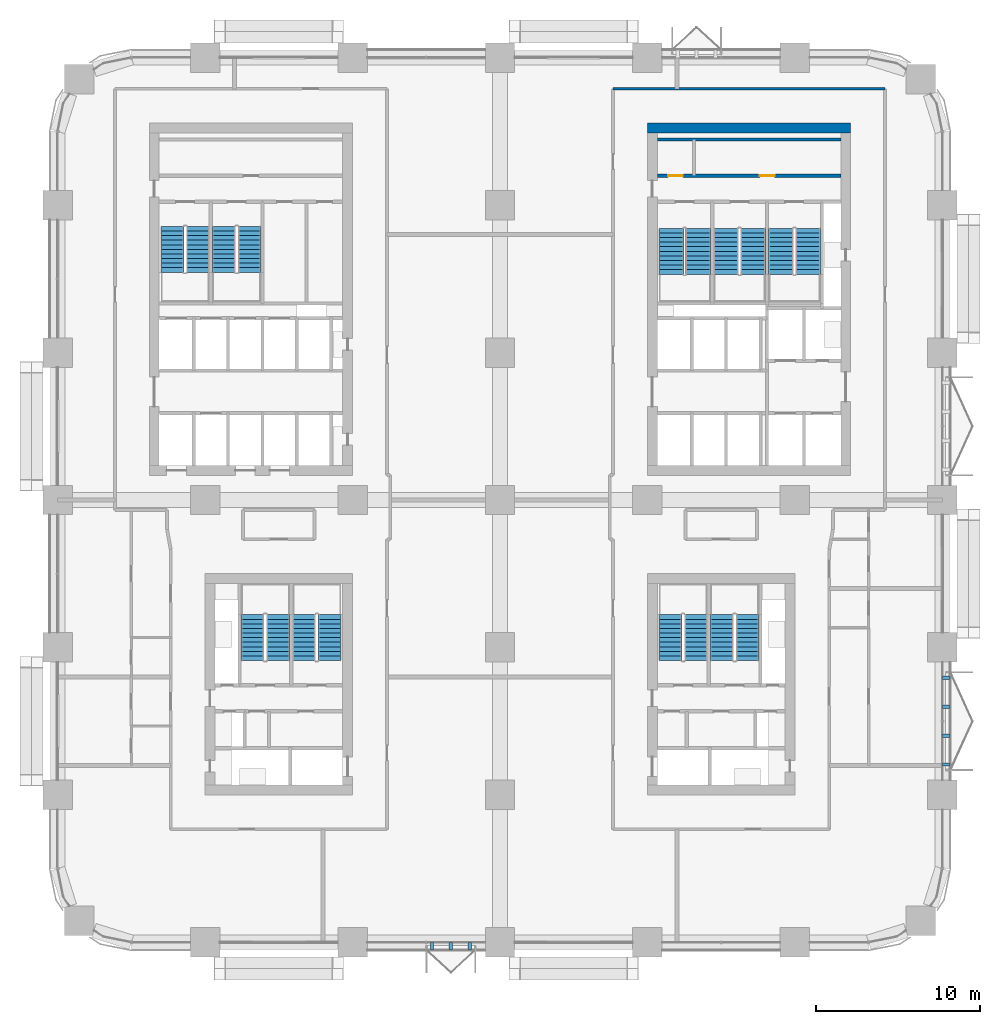
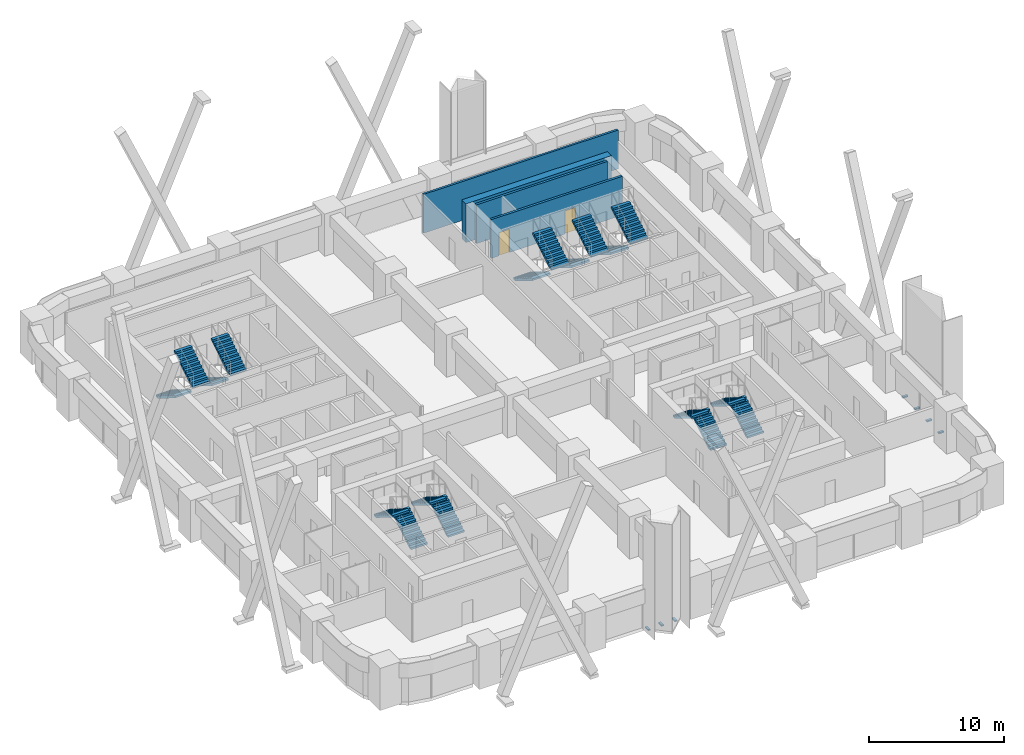
# One storey, part 20 of 24: 18 stair flights, 7 discrete accessories, 4 walls, 2 doors, 2 openings, 9 elements without a shape of their own.
"""IFC4 building model written with IfcOpenShell, lengths in metres."""

from ifc_helpers import new_model, si_unit, direction, frame, frame_2d, origin, origin_2d, place, context, subcontext, project, spatial, polyline, rectangle, outline, extrude, material, layer, layer_set, type_object, element, fill, aggregate, save


model = new_model("IFC4")

# Units and contexts
model_context = context("Model", 3, precision=1e-05, world=origin(), true_north=direction((0.0, 1.0)))
body_context = subcontext(model_context, "Body", "Model", "MODEL_VIEW")
ifc_project = project(units=[si_unit("LENGTHUNIT", "METRE"), si_unit("AREAUNIT", "SQUARE_METRE"), si_unit("VOLUMEUNIT", "CUBIC_METRE"), si_unit("PLANEANGLEUNIT", "RADIAN"), si_unit("MASSUNIT", "GRAM", prefix="KILO")], contexts=[model_context])

# Site, building, storey
site_placement = place(None, origin())
site = spatial("IfcSite", under=ifc_project, at=site_placement, CompositionType="ELEMENT")
building_placement = place(site_placement, origin())
building = spatial("IfcBuilding", under=site, at=building_placement, Name="Tessera Arch", CompositionType="ELEMENT")
storey_placement = place(building_placement, frame((0.0, 0.0, 61.39990234375)))
storey = spatial("IfcBuildingStorey", under=building, at=storey_placement, Name="L13", CompositionType="ELEMENT", Elevation=61.39990234375)

# Wall, openings, doors
ifc_material_1 = material(Name="Gypsum board on steel stud", Category="steel")
ifc_layer_1 = layer(ifc_material_1, 0.125)
ifc_layer_set_1 = layer_set([ifc_layer_1], Name="Core partition 125 EI 60")
wall_type_1 = type_object("IfcWallType", Name="Core partition 125 EI 60", PredefinedType="PARTITIONING", material=ifc_layer_set_1)
wall_1_placement = place(storey_placement, frame((36.60009765625, 46.800048828125, 0.0), z_axis=(0.0, 0.0, 1.0), x_axis=(1.0, 0.0, 0.0)))
wall_1 = element("IfcWall", 1, at=wall_1_placement, inside=storey, type_object=wall_type_1, Name="L13 C1 partition wall 31", PredefinedType="PARTITIONING", context=body_context, shape_type="SweptSolid", body=[
    extrude(rectangle(XDim=11.199951171875, YDim=0.199951171875, at=frame_2d((5.60009765625, 0.0))), origin(), (0.0, 0.0, 1.0), 3.5),
])
opening_1_placement = place(wall_1_placement, frame((0.669921875, 0.0, 0.0)))
opening_1 = element("IfcOpeningElement", 2, at=opening_1_placement, cuts=wall_1, Name="Opening L13-C12", PredefinedType="OPENING", context=body_context, shape_type="SweptSolid", body=[
    extrude(rectangle(XDim=0.89990234375, YDim=2.10009765625, at=frame_2d((0.449951171875, 1.050048828125))), frame((0.0, 0.10986328125, 0.0), z_axis=(0.0, -1.0, 0.0), x_axis=(1.0, 0.0, 0.0)), (0.0, 0.0, 1.0), 0.219970703125),
])
opening_2_placement = place(wall_1_placement, frame((6.27001953125, 0.0, 0.0)))
opening_2 = element("IfcOpeningElement", 3, at=opening_2_placement, cuts=wall_1, Name="Opening L13-C13", PredefinedType="OPENING", context=body_context, shape_type="SweptSolid", body=[
    extrude(rectangle(XDim=0.89990234375, YDim=2.10009765625, at=frame_2d((0.449951171875, 1.050048828125))), frame((0.0, 0.10986328125, 0.0), z_axis=(0.0, -1.0, 0.0), x_axis=(1.0, 0.0, 0.0)), (0.0, 0.0, 1.0), 0.219970703125),
])
ifc_material_2 = material(Name="Steel door leaf", Category="steel")
door_type = type_object("IfcDoorType", Name="Store door FD30S 900 x 2100", OperationType="SINGLE_SWING_LEFT", PredefinedType="DOOR", material=ifc_material_2)
door_1_placement = place(opening_1_placement, origin())
door_1 = element("IfcDoor", 4, at=door_1_placement, inside=storey, type_object=door_type, Name="L13 C1 door 12 C12 type D09", OperationType="SINGLE_SWING_LEFT", OverallHeight=2.10009765625, OverallWidth=0.89990234375, PredefinedType="DOOR", context=body_context, shape_type="SweptSolid", body=[
    extrude(rectangle(XDim=0.89990234375, YDim=2.10009765625, at=frame_2d((0.449951171875, 1.050048828125))), frame((0.0, 0.02490234375, 0.0), z_axis=(0.0, -1.0, 0.0), x_axis=(1.0, 0.0, 0.0)), (0.0, 0.0, 1.0), 0.050048828125),
])
fill(opening_1, door_1)
door_2_placement = place(opening_2_placement, origin())
door_2 = element("IfcDoor", 5, at=door_2_placement, inside=storey, type_object=door_type, Name="L13 C1 door 13 C13 type D09", OperationType="SINGLE_SWING_RIGHT", OverallHeight=2.10009765625, OverallWidth=0.89990234375, PredefinedType="DOOR", context=body_context, shape_type="SweptSolid", body=[
    extrude(rectangle(XDim=0.89990234375, YDim=2.10009765625, at=frame_2d((0.449951171875, 1.050048828125))), frame((0.0, 0.02490234375, 0.0), z_axis=(0.0, -1.0, 0.0), x_axis=(1.0, 0.0, 0.0)), (0.0, 0.0, 1.0), 0.050048828125),
])
fill(opening_2, door_2)

# Walls
wall_2_placement = place(storey_placement, frame((36.60009765625, 49.0, 0.0), z_axis=(0.0, 0.0, 1.0), x_axis=(1.0, 0.0, 0.0)))
element("IfcWall", 6, at=wall_2_placement, inside=storey, type_object=wall_type_1, Name="L13 C1 partition wall 32", PredefinedType="PARTITIONING", context=body_context, shape_type="SweptSolid", body=[
    extrude(rectangle(XDim=11.199951171875, YDim=0.199951171875, at=frame_2d((5.60009765625, 0.0))), origin(), (0.0, 0.0, 1.0), 3.5),
])
ifc_material_3 = material(Name="Concrete C70/85", Category="concrete")
ifc_layer_2 = layer(ifc_material_3, 0.60009765625)
ifc_layer_set_2 = layer_set([ifc_layer_2], Name="Core shell wall 600 C70-85")
wall_type_2 = type_object("IfcWallType", Name="Core shell wall 600 C70-85", PredefinedType="SHEAR", material=ifc_layer_set_2)
wall_3_placement = place(storey_placement, frame((36.0, 49.699951171875, 0.0), z_axis=(0.0, 0.0, 1.0), x_axis=(1.0, 0.0, 0.0)))
element("IfcWall", 7, at=wall_3_placement, inside=storey, type_object=wall_type_2, Name="L13 C1 core wall N", PredefinedType="SHEAR", context=body_context, shape_type="SweptSolid", body=[
    extrude(rectangle(XDim=12.39990234375, YDim=0.60009765625, at=frame_2d((6.199951171875, 0.0))), origin(), (0.0, 0.0, 1.0), 3.5),
])
ifc_material_4 = material(Name="Gypsum board on deep steel stud with mineral wool", Category="steel")
ifc_layer_3 = layer(ifc_material_4, 0.175048828125)
ifc_layer_set_3 = layer_set([ifc_layer_3], Name="Corridor wall 175 EI 60")
wall_type_3 = type_object("IfcWallType", Name="Corridor wall 175 EI 60", PredefinedType="PARTITIONING", material=ifc_layer_set_3)
wall_4_placement = place(storey_placement, frame((33.89990234375, 52.10009765625, 0.0), z_axis=(0.0, 0.0, 1.0), x_axis=(1.0, 0.0, 0.0)))
element("IfcWall", 8, at=wall_4_placement, inside=storey, type_object=wall_type_3, Name="L13 partition 14", PredefinedType="PARTITIONING", context=body_context, shape_type="SweptSolid", body=[
    extrude(rectangle(XDim=16.60009765625, YDim=0.175048828125, at=frame_2d((8.300048828125, 0.0))), origin(), (0.0, 0.0, 1.0), 3.5),
])

# Stair, stair flights
ifc_material_5 = material(Name="Concrete C40/50", Category="concrete")
stair_type_1 = type_object("IfcStairType", Name="Dogleg stair 1400", PredefinedType="HALF_TURN_STAIR", material=ifc_material_5)
stair_1_placement = place(storey_placement, origin())
stair_1 = element("IfcStair", 9, at=stair_1_placement, inside=storey, type_object=stair_type_1, Name="L13 S2a", PredefinedType="HALF_TURN_STAIR")
ifc_material_6 = material(Name="Concrete C40/50", Category="concrete")
stair_flight_type_1 = type_object("IfcStairFlightType", Name="Stair flight 1400", PredefinedType="STRAIGHT", material=ifc_material_6)
stair_flight_1_placement = place(storey_placement, frame((7.0, 43.699951171875, 0.0), z_axis=(0.0, 0.0, 1.0), x_axis=(0.0, -1.0, 0.0)))
stair_flight_1 = element("IfcStairFlight", 10, at=stair_flight_1_placement, type_object=stair_flight_type_1, Name="S2a flight 1", NumberOfRisers=11, NumberOfTreads=10, PredefinedType="STRAIGHT", RiserHeight=0.172727273, TreadLength=0.28, context=body_context, shape_type="SweptSolid", body=[
    extrude(outline(polyline([(0.0, 0.0), (0.0, 0.172607421875), (0.280029296875, 0.172607421875), (0.280029296875, 0.345458984375), (0.56005859375, 0.345458984375), (0.56005859375, 0.51806640625), (0.840087890625, 0.51806640625), (0.840087890625, 0.69091796875), (1.1201171875, 0.69091796875), (1.1201171875, 0.863525390625), (1.39990234375, 0.863525390625), (1.39990234375, 1.036376953125), (1.679931640625, 1.036376953125), (1.679931640625, 1.208984375), (1.9599609375, 1.208984375), (1.9599609375, 1.3818359375), (2.239990234375, 1.3818359375), (2.239990234375, 1.554443359375), (2.52001953125, 1.554443359375), (2.52001953125, 1.727294921875), (2.800048828125, 1.727294921875), (2.800048828125, 1.89990234375), (2.800048828125, 1.551025390625), (0.285400390625, 0.0), (0.0, 0.0)])), frame((0.0, 0.699951171875, 0.0), z_axis=(0.0, -1.0, 0.0), x_axis=(1.0, 0.0, 0.0)), (0.0, 0.0, 1.0), 1.39990234375),
])
stair_flight_2_placement = place(storey_placement, frame((8.550048828125, 40.89990234375, 1.900146484375), z_axis=(0.0, 0.0, 1.0), x_axis=(0.0, 1.0, 0.0)))
stair_flight_2 = element("IfcStairFlight", 11, at=stair_flight_2_placement, type_object=stair_flight_type_1, Name="S2a flight 2", NumberOfRisers=11, NumberOfTreads=10, PredefinedType="STRAIGHT", RiserHeight=0.172727273, TreadLength=0.28, context=body_context, shape_type="SweptSolid", body=[
    extrude(outline(polyline([(0.0, 0.0), (0.0, 0.172607421875), (0.280029296875, 0.172607421875), (0.280029296875, 0.345458984375), (0.56005859375, 0.345458984375), (0.56005859375, 0.51806640625), (0.840087890625, 0.51806640625), (0.840087890625, 0.69091796875), (1.1201171875, 0.69091796875), (1.1201171875, 0.863525390625), (1.39990234375, 0.863525390625), (1.39990234375, 1.036376953125), (1.679931640625, 1.036376953125), (1.679931640625, 1.208984375), (1.9599609375, 1.208984375), (1.9599609375, 1.3818359375), (2.239990234375, 1.3818359375), (2.239990234375, 1.554443359375), (2.52001953125, 1.554443359375), (2.52001953125, 1.727294921875), (2.800048828125, 1.727294921875), (2.800048828125, 1.89990234375), (2.800048828125, 1.551025390625), (0.285400390625, 0.0), (0.0, 0.0)])), frame((0.0, 0.699951171875, 0.0), z_axis=(0.0, -1.0, 0.0), x_axis=(1.0, 0.0, 0.0)), (0.0, 0.0, 1.0), 1.39990234375),
])
aggregate(stair_1, [stair_flight_1, stair_flight_2])

stair_2_placement = place(storey_placement, origin())
stair_2 = element("IfcStair", 12, at=stair_2_placement, inside=storey, type_object=stair_type_1, Name="L13 S2b", PredefinedType="HALF_TURN_STAIR")
stair_flight_3_placement = place(storey_placement, frame((10.14990234375, 43.699951171875, 0.0), z_axis=(0.0, 0.0, 1.0), x_axis=(0.0, -1.0, 0.0)))
stair_flight_3 = element("IfcStairFlight", 13, at=stair_flight_3_placement, type_object=stair_flight_type_1, Name="S2b flight 1", NumberOfRisers=11, NumberOfTreads=10, PredefinedType="STRAIGHT", RiserHeight=0.172727273, TreadLength=0.28, context=body_context, shape_type="SweptSolid", body=[
    extrude(outline(polyline([(0.0, 0.0), (0.0, 0.172607421875), (0.280029296875, 0.172607421875), (0.280029296875, 0.345458984375), (0.56005859375, 0.345458984375), (0.56005859375, 0.51806640625), (0.840087890625, 0.51806640625), (0.840087890625, 0.69091796875), (1.1201171875, 0.69091796875), (1.1201171875, 0.863525390625), (1.39990234375, 0.863525390625), (1.39990234375, 1.036376953125), (1.679931640625, 1.036376953125), (1.679931640625, 1.208984375), (1.9599609375, 1.208984375), (1.9599609375, 1.3818359375), (2.239990234375, 1.3818359375), (2.239990234375, 1.554443359375), (2.52001953125, 1.554443359375), (2.52001953125, 1.727294921875), (2.800048828125, 1.727294921875), (2.800048828125, 1.89990234375), (2.800048828125, 1.551025390625), (0.285400390625, 0.0), (0.0, 0.0)])), frame((0.0, 0.699951171875, 0.0), z_axis=(0.0, -1.0, 0.0), x_axis=(1.0, 0.0, 0.0)), (0.0, 0.0, 1.0), 1.39990234375),
])
stair_flight_4_placement = place(storey_placement, frame((11.699951171875, 40.89990234375, 1.900146484375), z_axis=(0.0, 0.0, 1.0), x_axis=(0.0, 1.0, 0.0)))
stair_flight_4 = element("IfcStairFlight", 14, at=stair_flight_4_placement, type_object=stair_flight_type_1, Name="S2b flight 2", NumberOfRisers=11, NumberOfTreads=10, PredefinedType="STRAIGHT", RiserHeight=0.172727273, TreadLength=0.28, context=body_context, shape_type="SweptSolid", body=[
    extrude(outline(polyline([(0.0, 0.0), (0.0, 0.172607421875), (0.280029296875, 0.172607421875), (0.280029296875, 0.345458984375), (0.56005859375, 0.345458984375), (0.56005859375, 0.51806640625), (0.840087890625, 0.51806640625), (0.840087890625, 0.69091796875), (1.1201171875, 0.69091796875), (1.1201171875, 0.863525390625), (1.39990234375, 0.863525390625), (1.39990234375, 1.036376953125), (1.679931640625, 1.036376953125), (1.679931640625, 1.208984375), (1.9599609375, 1.208984375), (1.9599609375, 1.3818359375), (2.239990234375, 1.3818359375), (2.239990234375, 1.554443359375), (2.52001953125, 1.554443359375), (2.52001953125, 1.727294921875), (2.800048828125, 1.727294921875), (2.800048828125, 1.89990234375), (2.800048828125, 1.551025390625), (0.285400390625, 0.0), (0.0, 0.0)])), frame((0.0, 0.699951171875, 0.0), z_axis=(0.0, -1.0, 0.0), x_axis=(1.0, 0.0, 0.0)), (0.0, 0.0, 1.0), 1.39990234375),
])
aggregate(stair_2, [stair_flight_3, stair_flight_4])

stair_3_placement = place(storey_placement, origin())
stair_3 = element("IfcStair", 15, at=stair_3_placement, inside=storey, type_object=stair_type_1, Name="L13 S3a", PredefinedType="HALF_TURN_STAIR")
stair_flight_5_placement = place(storey_placement, frame((38.949951171875, 17.199951171875, 0.0), z_axis=(0.0, 0.0, 1.0), x_axis=(0.0, 1.0, 0.0)))
stair_flight_5 = element("IfcStairFlight", 16, at=stair_flight_5_placement, type_object=stair_flight_type_1, Name="S3a flight 1", NumberOfRisers=11, NumberOfTreads=10, PredefinedType="STRAIGHT", RiserHeight=0.172727273, TreadLength=0.28, context=body_context, shape_type="SweptSolid", body=[
    extrude(outline(polyline([(0.0, 0.0), (0.0, 0.172607421875), (0.280029296875, 0.172607421875), (0.280029296875, 0.345458984375), (0.56005859375, 0.345458984375), (0.56005859375, 0.51806640625), (0.840087890625, 0.51806640625), (0.840087890625, 0.69091796875), (1.1201171875, 0.69091796875), (1.1201171875, 0.863525390625), (1.39990234375, 0.863525390625), (1.39990234375, 1.036376953125), (1.679931640625, 1.036376953125), (1.679931640625, 1.208984375), (1.9599609375, 1.208984375), (1.9599609375, 1.3818359375), (2.239990234375, 1.3818359375), (2.239990234375, 1.554443359375), (2.52001953125, 1.554443359375), (2.52001953125, 1.727294921875), (2.800048828125, 1.727294921875), (2.800048828125, 1.89990234375), (2.800048828125, 1.551025390625), (0.285400390625, 0.0), (0.0, 0.0)])), frame((0.0, 0.699951171875, 0.0), z_axis=(0.0, -1.0, 0.0), x_axis=(1.0, 0.0, 0.0)), (0.0, 0.0, 1.0), 1.39990234375),
])
stair_flight_6_placement = place(storey_placement, frame((37.39990234375, 20.0, 1.900146484375), z_axis=(0.0, 0.0, 1.0), x_axis=(0.0, -1.0, 0.0)))
stair_flight_6 = element("IfcStairFlight", 17, at=stair_flight_6_placement, type_object=stair_flight_type_1, Name="S3a flight 2", NumberOfRisers=11, NumberOfTreads=10, PredefinedType="STRAIGHT", RiserHeight=0.172727273, TreadLength=0.28, context=body_context, shape_type="SweptSolid", body=[
    extrude(outline(polyline([(0.0, 0.0), (0.0, 0.172607421875), (0.280029296875, 0.172607421875), (0.280029296875, 0.345458984375), (0.56005859375, 0.345458984375), (0.56005859375, 0.51806640625), (0.840087890625, 0.51806640625), (0.840087890625, 0.69091796875), (1.1201171875, 0.69091796875), (1.1201171875, 0.863525390625), (1.39990234375, 0.863525390625), (1.39990234375, 1.036376953125), (1.679931640625, 1.036376953125), (1.679931640625, 1.208984375), (1.9599609375, 1.208984375), (1.9599609375, 1.3818359375), (2.239990234375, 1.3818359375), (2.239990234375, 1.554443359375), (2.52001953125, 1.554443359375), (2.52001953125, 1.727294921875), (2.800048828125, 1.727294921875), (2.800048828125, 1.89990234375), (2.800048828125, 1.551025390625), (0.285400390625, 0.0), (0.0, 0.0)])), frame((0.0, 0.699951171875, 0.0), z_axis=(0.0, -1.0, 0.0), x_axis=(1.0, 0.0, 0.0)), (0.0, 0.0, 1.0), 1.39990234375),
])
aggregate(stair_3, [stair_flight_5, stair_flight_6])

stair_4_placement = place(storey_placement, origin())
stair_4 = element("IfcStair", 18, at=stair_4_placement, inside=storey, type_object=stair_type_1, Name="L13 S3b", PredefinedType="HALF_TURN_STAIR")
stair_flight_7_placement = place(storey_placement, frame((42.10009765625, 17.199951171875, 0.0), z_axis=(0.0, 0.0, 1.0), x_axis=(0.0, 1.0, 0.0)))
stair_flight_7 = element("IfcStairFlight", 19, at=stair_flight_7_placement, type_object=stair_flight_type_1, Name="S3b flight 1", NumberOfRisers=11, NumberOfTreads=10, PredefinedType="STRAIGHT", RiserHeight=0.172727273, TreadLength=0.28, context=body_context, shape_type="SweptSolid", body=[
    extrude(outline(polyline([(0.0, 0.0), (0.0, 0.172607421875), (0.280029296875, 0.172607421875), (0.280029296875, 0.345458984375), (0.56005859375, 0.345458984375), (0.56005859375, 0.51806640625), (0.840087890625, 0.51806640625), (0.840087890625, 0.69091796875), (1.1201171875, 0.69091796875), (1.1201171875, 0.863525390625), (1.39990234375, 0.863525390625), (1.39990234375, 1.036376953125), (1.679931640625, 1.036376953125), (1.679931640625, 1.208984375), (1.9599609375, 1.208984375), (1.9599609375, 1.3818359375), (2.239990234375, 1.3818359375), (2.239990234375, 1.554443359375), (2.52001953125, 1.554443359375), (2.52001953125, 1.727294921875), (2.800048828125, 1.727294921875), (2.800048828125, 1.89990234375), (2.800048828125, 1.551025390625), (0.285400390625, 0.0), (0.0, 0.0)])), frame((0.0, 0.699951171875, 0.0), z_axis=(0.0, -1.0, 0.0), x_axis=(1.0, 0.0, 0.0)), (0.0, 0.0, 1.0), 1.39990234375),
])
stair_flight_8_placement = place(storey_placement, frame((40.550048828125, 20.0, 1.900146484375), z_axis=(0.0, 0.0, 1.0), x_axis=(0.0, -1.0, 0.0)))
stair_flight_8 = element("IfcStairFlight", 20, at=stair_flight_8_placement, type_object=stair_flight_type_1, Name="S3b flight 2", NumberOfRisers=11, NumberOfTreads=10, PredefinedType="STRAIGHT", RiserHeight=0.172727273, TreadLength=0.28, context=body_context, shape_type="SweptSolid", body=[
    extrude(outline(polyline([(0.0, 0.0), (0.0, 0.172607421875), (0.280029296875, 0.172607421875), (0.280029296875, 0.345458984375), (0.56005859375, 0.345458984375), (0.56005859375, 0.51806640625), (0.840087890625, 0.51806640625), (0.840087890625, 0.69091796875), (1.1201171875, 0.69091796875), (1.1201171875, 0.863525390625), (1.39990234375, 0.863525390625), (1.39990234375, 1.036376953125), (1.679931640625, 1.036376953125), (1.679931640625, 1.208984375), (1.9599609375, 1.208984375), (1.9599609375, 1.3818359375), (2.239990234375, 1.3818359375), (2.239990234375, 1.554443359375), (2.52001953125, 1.554443359375), (2.52001953125, 1.727294921875), (2.800048828125, 1.727294921875), (2.800048828125, 1.89990234375), (2.800048828125, 1.551025390625), (0.285400390625, 0.0), (0.0, 0.0)])), frame((0.0, 0.699951171875, 0.0), z_axis=(0.0, -1.0, 0.0), x_axis=(1.0, 0.0, 0.0)), (0.0, 0.0, 1.0), 1.39990234375),
])
aggregate(stair_4, [stair_flight_7, stair_flight_8])

stair_5_placement = place(storey_placement, origin())
stair_5 = element("IfcStair", 21, at=stair_5_placement, inside=storey, type_object=stair_type_1, Name="L13 S4a", PredefinedType="HALF_TURN_STAIR")
stair_flight_9_placement = place(storey_placement, frame((16.60009765625, 17.199951171875, 0.0), z_axis=(0.0, 0.0, 1.0), x_axis=(0.0, 1.0, 0.0)))
stair_flight_9 = element("IfcStairFlight", 22, at=stair_flight_9_placement, type_object=stair_flight_type_1, Name="S4a flight 1", NumberOfRisers=11, NumberOfTreads=10, PredefinedType="STRAIGHT", RiserHeight=0.172727273, TreadLength=0.28, context=body_context, shape_type="SweptSolid", body=[
    extrude(outline(polyline([(0.0, 0.0), (0.0, 0.172607421875), (0.280029296875, 0.172607421875), (0.280029296875, 0.345458984375), (0.56005859375, 0.345458984375), (0.56005859375, 0.51806640625), (0.840087890625, 0.51806640625), (0.840087890625, 0.69091796875), (1.1201171875, 0.69091796875), (1.1201171875, 0.863525390625), (1.39990234375, 0.863525390625), (1.39990234375, 1.036376953125), (1.679931640625, 1.036376953125), (1.679931640625, 1.208984375), (1.9599609375, 1.208984375), (1.9599609375, 1.3818359375), (2.239990234375, 1.3818359375), (2.239990234375, 1.554443359375), (2.52001953125, 1.554443359375), (2.52001953125, 1.727294921875), (2.800048828125, 1.727294921875), (2.800048828125, 1.89990234375), (2.800048828125, 1.551025390625), (0.285400390625, 0.0), (0.0, 0.0)])), frame((0.0, 0.699951171875, 0.0), z_axis=(0.0, -1.0, 0.0), x_axis=(1.0, 0.0, 0.0)), (0.0, 0.0, 1.0), 1.39990234375),
])
stair_flight_10_placement = place(storey_placement, frame((15.050048828125, 20.0, 1.900146484375), z_axis=(0.0, 0.0, 1.0), x_axis=(0.0, -1.0, 0.0)))
stair_flight_10 = element("IfcStairFlight", 23, at=stair_flight_10_placement, type_object=stair_flight_type_1, Name="S4a flight 2", NumberOfRisers=11, NumberOfTreads=10, PredefinedType="STRAIGHT", RiserHeight=0.172727273, TreadLength=0.28, context=body_context, shape_type="SweptSolid", body=[
    extrude(outline(polyline([(0.0, 0.0), (0.0, 0.172607421875), (0.280029296875, 0.172607421875), (0.280029296875, 0.345458984375), (0.56005859375, 0.345458984375), (0.56005859375, 0.51806640625), (0.840087890625, 0.51806640625), (0.840087890625, 0.69091796875), (1.1201171875, 0.69091796875), (1.1201171875, 0.863525390625), (1.39990234375, 0.863525390625), (1.39990234375, 1.036376953125), (1.679931640625, 1.036376953125), (1.679931640625, 1.208984375), (1.9599609375, 1.208984375), (1.9599609375, 1.3818359375), (2.239990234375, 1.3818359375), (2.239990234375, 1.554443359375), (2.52001953125, 1.554443359375), (2.52001953125, 1.727294921875), (2.800048828125, 1.727294921875), (2.800048828125, 1.89990234375), (2.800048828125, 1.551025390625), (0.285400390625, 0.0), (0.0, 0.0)])), frame((0.0, 0.699951171875, 0.0), z_axis=(0.0, -1.0, 0.0), x_axis=(1.0, 0.0, 0.0)), (0.0, 0.0, 1.0), 1.39990234375),
])
aggregate(stair_5, [stair_flight_9, stair_flight_10])

stair_6_placement = place(storey_placement, origin())
stair_6 = element("IfcStair", 24, at=stair_6_placement, inside=storey, type_object=stair_type_1, Name="L13 S4b", PredefinedType="HALF_TURN_STAIR")
stair_flight_11_placement = place(storey_placement, frame((13.449951171875, 17.199951171875, 0.0), z_axis=(0.0, 0.0, 1.0), x_axis=(0.0, 1.0, 0.0)))
stair_flight_11 = element("IfcStairFlight", 25, at=stair_flight_11_placement, type_object=stair_flight_type_1, Name="S4b flight 1", NumberOfRisers=11, NumberOfTreads=10, PredefinedType="STRAIGHT", RiserHeight=0.172727273, TreadLength=0.28, context=body_context, shape_type="SweptSolid", body=[
    extrude(outline(polyline([(0.0, 0.0), (0.0, 0.172607421875), (0.280029296875, 0.172607421875), (0.280029296875, 0.345458984375), (0.56005859375, 0.345458984375), (0.56005859375, 0.51806640625), (0.840087890625, 0.51806640625), (0.840087890625, 0.69091796875), (1.1201171875, 0.69091796875), (1.1201171875, 0.863525390625), (1.39990234375, 0.863525390625), (1.39990234375, 1.036376953125), (1.679931640625, 1.036376953125), (1.679931640625, 1.208984375), (1.9599609375, 1.208984375), (1.9599609375, 1.3818359375), (2.239990234375, 1.3818359375), (2.239990234375, 1.554443359375), (2.52001953125, 1.554443359375), (2.52001953125, 1.727294921875), (2.800048828125, 1.727294921875), (2.800048828125, 1.89990234375), (2.800048828125, 1.551025390625), (0.285400390625, 0.0), (0.0, 0.0)])), frame((0.0, 0.699951171875, 0.0), z_axis=(0.0, -1.0, 0.0), x_axis=(1.0, 0.0, 0.0)), (0.0, 0.0, 1.0), 1.39990234375),
])
stair_flight_12_placement = place(storey_placement, frame((11.89990234375, 20.0, 1.900146484375), z_axis=(0.0, 0.0, 1.0), x_axis=(0.0, -1.0, 0.0)))
stair_flight_12 = element("IfcStairFlight", 26, at=stair_flight_12_placement, type_object=stair_flight_type_1, Name="S4b flight 2", NumberOfRisers=11, NumberOfTreads=10, PredefinedType="STRAIGHT", RiserHeight=0.172727273, TreadLength=0.28, context=body_context, shape_type="SweptSolid", body=[
    extrude(outline(polyline([(0.0, 0.0), (0.0, 0.172607421875), (0.280029296875, 0.172607421875), (0.280029296875, 0.345458984375), (0.56005859375, 0.345458984375), (0.56005859375, 0.51806640625), (0.840087890625, 0.51806640625), (0.840087890625, 0.69091796875), (1.1201171875, 0.69091796875), (1.1201171875, 0.863525390625), (1.39990234375, 0.863525390625), (1.39990234375, 1.036376953125), (1.679931640625, 1.036376953125), (1.679931640625, 1.208984375), (1.9599609375, 1.208984375), (1.9599609375, 1.3818359375), (2.239990234375, 1.3818359375), (2.239990234375, 1.554443359375), (2.52001953125, 1.554443359375), (2.52001953125, 1.727294921875), (2.800048828125, 1.727294921875), (2.800048828125, 1.89990234375), (2.800048828125, 1.551025390625), (0.285400390625, 0.0), (0.0, 0.0)])), frame((0.0, 0.699951171875, 0.0), z_axis=(0.0, -1.0, 0.0), x_axis=(1.0, 0.0, 0.0)), (0.0, 0.0, 1.0), 1.39990234375),
])
aggregate(stair_6, [stair_flight_11, stair_flight_12])

ifc_material_7 = material(Name="Concrete C40/50", Category="concrete")
stair_type_2 = type_object("IfcStairType", Name="Dogleg stair 1520", PredefinedType="HALF_TURN_STAIR", material=ifc_material_7)
stair_7_placement = place(storey_placement, origin())
stair_7 = element("IfcStair", 27, at=stair_7_placement, inside=storey, type_object=stair_type_2, Name="L13 S1a", PredefinedType="HALF_TURN_STAIR")
ifc_material_8 = material(Name="Concrete C40/50", Category="concrete")
stair_flight_type_2 = type_object("IfcStairFlightType", Name="Stair flight 1520", PredefinedType="STRAIGHT", material=ifc_material_8)
stair_flight_13_placement = place(storey_placement, frame((37.4599609375, 43.580078125, 0.0), z_axis=(0.0, 0.0, 1.0), x_axis=(0.0, -1.0, 0.0)))
stair_flight_13 = element("IfcStairFlight", 28, at=stair_flight_13_placement, type_object=stair_flight_type_2, Name="S1a flight 1", NumberOfRisers=11, NumberOfTreads=10, PredefinedType="STRAIGHT", RiserHeight=0.172727273, TreadLength=0.28, context=body_context, shape_type="SweptSolid", body=[
    extrude(outline(polyline([(0.0, 0.0), (0.0, 0.172607421875), (0.280029296875, 0.172607421875), (0.280029296875, 0.345458984375), (0.56005859375, 0.345458984375), (0.56005859375, 0.51806640625), (0.840087890625, 0.51806640625), (0.840087890625, 0.69091796875), (1.1201171875, 0.69091796875), (1.1201171875, 0.863525390625), (1.39990234375, 0.863525390625), (1.39990234375, 1.036376953125), (1.679931640625, 1.036376953125), (1.679931640625, 1.208984375), (1.9599609375, 1.208984375), (1.9599609375, 1.3818359375), (2.239990234375, 1.3818359375), (2.239990234375, 1.554443359375), (2.52001953125, 1.554443359375), (2.52001953125, 1.727294921875), (2.800048828125, 1.727294921875), (2.800048828125, 1.89990234375), (2.800048828125, 1.551025390625), (0.285400390625, 0.0), (0.0, 0.0)])), frame((0.0, 0.760009765625, 0.0), z_axis=(0.0, -1.0, 0.0), x_axis=(1.0, 0.0, 0.0)), (0.0, 0.0, 1.0), 1.52001953125),
])
stair_flight_14_placement = place(storey_placement, frame((39.090087890625, 40.780029296875, 1.900146484375), z_axis=(0.0, 0.0, 1.0), x_axis=(0.0, 1.0, 0.0)))
stair_flight_14 = element("IfcStairFlight", 29, at=stair_flight_14_placement, type_object=stair_flight_type_2, Name="S1a flight 2", NumberOfRisers=11, NumberOfTreads=10, PredefinedType="STRAIGHT", RiserHeight=0.172727273, TreadLength=0.28, context=body_context, shape_type="SweptSolid", body=[
    extrude(outline(polyline([(0.0, 0.0), (0.0, 0.172607421875), (0.280029296875, 0.172607421875), (0.280029296875, 0.345458984375), (0.56005859375, 0.345458984375), (0.56005859375, 0.51806640625), (0.840087890625, 0.51806640625), (0.840087890625, 0.69091796875), (1.1201171875, 0.69091796875), (1.1201171875, 0.863525390625), (1.39990234375, 0.863525390625), (1.39990234375, 1.036376953125), (1.679931640625, 1.036376953125), (1.679931640625, 1.208984375), (1.9599609375, 1.208984375), (1.9599609375, 1.3818359375), (2.239990234375, 1.3818359375), (2.239990234375, 1.554443359375), (2.52001953125, 1.554443359375), (2.52001953125, 1.727294921875), (2.800048828125, 1.727294921875), (2.800048828125, 1.89990234375), (2.800048828125, 1.551025390625), (0.285400390625, 0.0), (0.0, 0.0)])), frame((0.0, 0.760009765625, 0.0), z_axis=(0.0, -1.0, 0.0), x_axis=(1.0, 0.0, 0.0)), (0.0, 0.0, 1.0), 1.52001953125),
])
aggregate(stair_7, [stair_flight_13, stair_flight_14])

stair_8_placement = place(storey_placement, origin())
stair_8 = element("IfcStair", 30, at=stair_8_placement, inside=storey, type_object=stair_type_2, Name="L13 S1b", PredefinedType="HALF_TURN_STAIR")
stair_flight_15_placement = place(storey_placement, frame((40.81005859375, 43.580078125, 0.0), z_axis=(0.0, 0.0, 1.0), x_axis=(0.0, -1.0, 0.0)))
stair_flight_15 = element("IfcStairFlight", 31, at=stair_flight_15_placement, type_object=stair_flight_type_2, Name="S1b flight 1", NumberOfRisers=11, NumberOfTreads=10, PredefinedType="STRAIGHT", RiserHeight=0.172727273, TreadLength=0.28, context=body_context, shape_type="SweptSolid", body=[
    extrude(outline(polyline([(0.0, 0.0), (0.0, 0.172607421875), (0.280029296875, 0.172607421875), (0.280029296875, 0.345458984375), (0.56005859375, 0.345458984375), (0.56005859375, 0.51806640625), (0.840087890625, 0.51806640625), (0.840087890625, 0.69091796875), (1.1201171875, 0.69091796875), (1.1201171875, 0.863525390625), (1.39990234375, 0.863525390625), (1.39990234375, 1.036376953125), (1.679931640625, 1.036376953125), (1.679931640625, 1.208984375), (1.9599609375, 1.208984375), (1.9599609375, 1.3818359375), (2.239990234375, 1.3818359375), (2.239990234375, 1.554443359375), (2.52001953125, 1.554443359375), (2.52001953125, 1.727294921875), (2.800048828125, 1.727294921875), (2.800048828125, 1.89990234375), (2.800048828125, 1.551025390625), (0.285400390625, 0.0), (0.0, 0.0)])), frame((0.0, 0.760009765625, 0.0), z_axis=(0.0, -1.0, 0.0), x_axis=(1.0, 0.0, 0.0)), (0.0, 0.0, 1.0), 1.52001953125),
])
stair_flight_16_placement = place(storey_placement, frame((42.43994140625, 40.780029296875, 1.900146484375), z_axis=(0.0, 0.0, 1.0), x_axis=(0.0, 1.0, 0.0)))
stair_flight_16 = element("IfcStairFlight", 32, at=stair_flight_16_placement, type_object=stair_flight_type_2, Name="S1b flight 2", NumberOfRisers=11, NumberOfTreads=10, PredefinedType="STRAIGHT", RiserHeight=0.172727273, TreadLength=0.28, context=body_context, shape_type="SweptSolid", body=[
    extrude(outline(polyline([(0.0, 0.0), (0.0, 0.172607421875), (0.280029296875, 0.172607421875), (0.280029296875, 0.345458984375), (0.56005859375, 0.345458984375), (0.56005859375, 0.51806640625), (0.840087890625, 0.51806640625), (0.840087890625, 0.69091796875), (1.1201171875, 0.69091796875), (1.1201171875, 0.863525390625), (1.39990234375, 0.863525390625), (1.39990234375, 1.036376953125), (1.679931640625, 1.036376953125), (1.679931640625, 1.208984375), (1.9599609375, 1.208984375), (1.9599609375, 1.3818359375), (2.239990234375, 1.3818359375), (2.239990234375, 1.554443359375), (2.52001953125, 1.554443359375), (2.52001953125, 1.727294921875), (2.800048828125, 1.727294921875), (2.800048828125, 1.89990234375), (2.800048828125, 1.551025390625), (0.285400390625, 0.0), (0.0, 0.0)])), frame((0.0, 0.760009765625, 0.0), z_axis=(0.0, -1.0, 0.0), x_axis=(1.0, 0.0, 0.0)), (0.0, 0.0, 1.0), 1.52001953125),
])
aggregate(stair_8, [stair_flight_15, stair_flight_16])

stair_9_placement = place(storey_placement, origin())
stair_9 = element("IfcStair", 33, at=stair_9_placement, inside=storey, type_object=stair_type_2, Name="L13 S1c", PredefinedType="HALF_TURN_STAIR")
stair_flight_17_placement = place(storey_placement, frame((44.159912109375, 43.580078125, 0.0), z_axis=(0.0, 0.0, 1.0), x_axis=(0.0, -1.0, 0.0)))
stair_flight_17 = element("IfcStairFlight", 34, at=stair_flight_17_placement, type_object=stair_flight_type_2, Name="S1c flight 1", NumberOfRisers=11, NumberOfTreads=10, PredefinedType="STRAIGHT", RiserHeight=0.172727273, TreadLength=0.28, context=body_context, shape_type="SweptSolid", body=[
    extrude(outline(polyline([(0.0, 0.0), (0.0, 0.172607421875), (0.280029296875, 0.172607421875), (0.280029296875, 0.345458984375), (0.56005859375, 0.345458984375), (0.56005859375, 0.51806640625), (0.840087890625, 0.51806640625), (0.840087890625, 0.69091796875), (1.1201171875, 0.69091796875), (1.1201171875, 0.863525390625), (1.39990234375, 0.863525390625), (1.39990234375, 1.036376953125), (1.679931640625, 1.036376953125), (1.679931640625, 1.208984375), (1.9599609375, 1.208984375), (1.9599609375, 1.3818359375), (2.239990234375, 1.3818359375), (2.239990234375, 1.554443359375), (2.52001953125, 1.554443359375), (2.52001953125, 1.727294921875), (2.800048828125, 1.727294921875), (2.800048828125, 1.89990234375), (2.800048828125, 1.551025390625), (0.285400390625, 0.0), (0.0, 0.0)])), frame((0.0, 0.760009765625, 0.0), z_axis=(0.0, -1.0, 0.0), x_axis=(1.0, 0.0, 0.0)), (0.0, 0.0, 1.0), 1.52001953125),
])
stair_flight_18_placement = place(storey_placement, frame((45.7900390625, 40.780029296875, 1.900146484375), z_axis=(0.0, 0.0, 1.0), x_axis=(0.0, 1.0, 0.0)))
stair_flight_18 = element("IfcStairFlight", 35, at=stair_flight_18_placement, type_object=stair_flight_type_2, Name="S1c flight 2", NumberOfRisers=11, NumberOfTreads=10, PredefinedType="STRAIGHT", RiserHeight=0.172727273, TreadLength=0.28, context=body_context, shape_type="SweptSolid", body=[
    extrude(outline(polyline([(0.0, 0.0), (0.0, 0.172607421875), (0.280029296875, 0.172607421875), (0.280029296875, 0.345458984375), (0.56005859375, 0.345458984375), (0.56005859375, 0.51806640625), (0.840087890625, 0.51806640625), (0.840087890625, 0.69091796875), (1.1201171875, 0.69091796875), (1.1201171875, 0.863525390625), (1.39990234375, 0.863525390625), (1.39990234375, 1.036376953125), (1.679931640625, 1.036376953125), (1.679931640625, 1.208984375), (1.9599609375, 1.208984375), (1.9599609375, 1.3818359375), (2.239990234375, 1.3818359375), (2.239990234375, 1.554443359375), (2.52001953125, 1.554443359375), (2.52001953125, 1.727294921875), (2.800048828125, 1.727294921875), (2.800048828125, 1.89990234375), (2.800048828125, 1.551025390625), (0.285400390625, 0.0), (0.0, 0.0)])), frame((0.0, 0.760009765625, 0.0), z_axis=(0.0, -1.0, 0.0), x_axis=(1.0, 0.0, 0.0)), (0.0, 0.0, 1.0), 1.52001953125),
])
aggregate(stair_9, [stair_flight_17, stair_flight_18])

# Discrete accessories
for number, where, z_axis, x_axis, name in (
    (36, (22.85009765625, -0.219970703125, -0.119873046875), (0.0, 0.0, 1.0), (0.0, -1.0, 0.0), "Window box bracket"),
    (37, (24.0, -0.219970703125, -0.119873046875), (0.0, 0.0, 1.0), (0.0, -1.0, 0.0), "Window box bracket"),
    (38, (25.14990234375, -0.219970703125, -0.119873046875), (0.0, 0.0, 1.0), (0.0, -1.0, 0.0), "Window box bracket"),
    (39, (54.219970703125, 10.85009765625, -0.119873046875), (0.0, 0.0, 1.0), (1.0, 0.0, 0.0), "Window box bracket"),
    (40, (54.219970703125, 12.61669921875, -0.119873046875), (0.0, 0.0, 1.0), (1.0, 0.0, 0.0), "Window box bracket"),
    (41, (54.219970703125, 14.38330078125, -0.119873046875), (0.0, 0.0, 1.0), (1.0, 0.0, 0.0), "Window box bracket"),
    (42, (54.219970703125, 16.14990234375, -0.119873046875), (0.0, 0.0, 1.0), (1.0, 0.0, 0.0), "Window box bracket"),
):
    element("IfcDiscreteAccessory", number, at=place(storey_placement, frame(where, z_axis=z_axis, x_axis=x_axis)), inside=storey, Name=name, PredefinedType="BRACKET", context=body_context, shape_type="SweptSolid", body=[
        extrude(rectangle(XDim=0.43994140625, YDim=0.199951171875, at=origin_2d()), origin(), (0.0, 0.0, 1.0), 0.1201171875),
    ])

save(model, "model.ifc")
